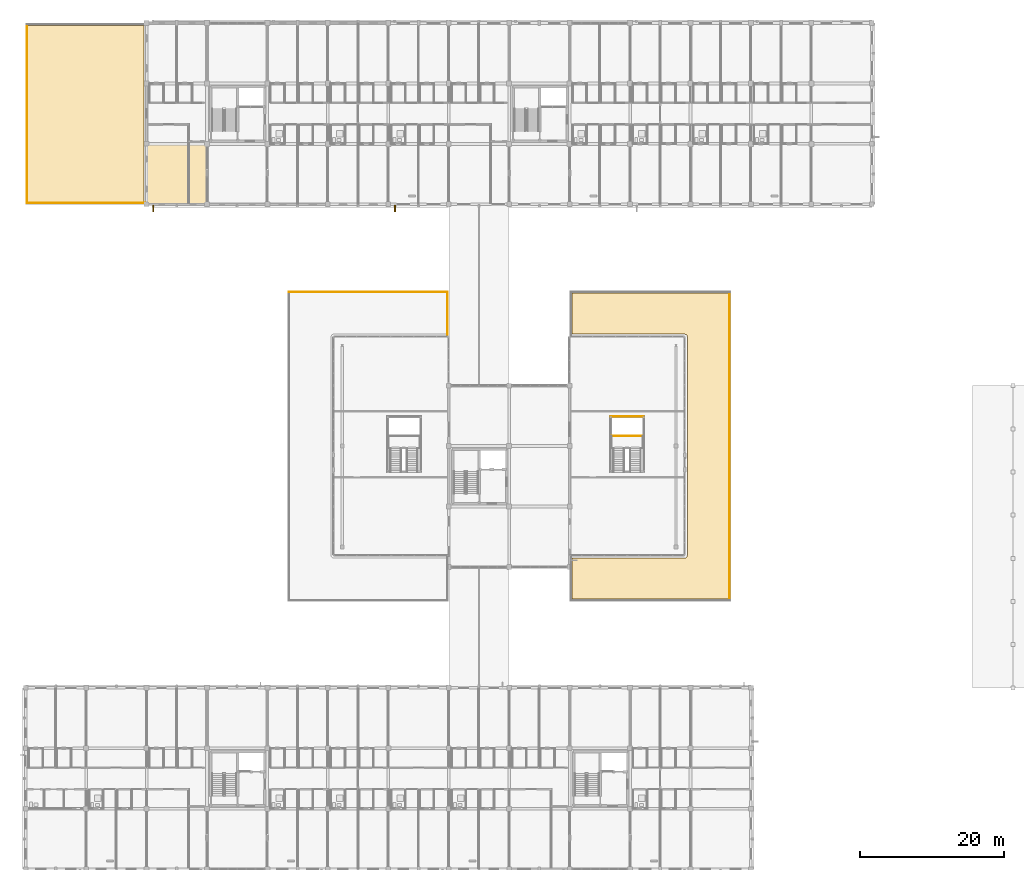
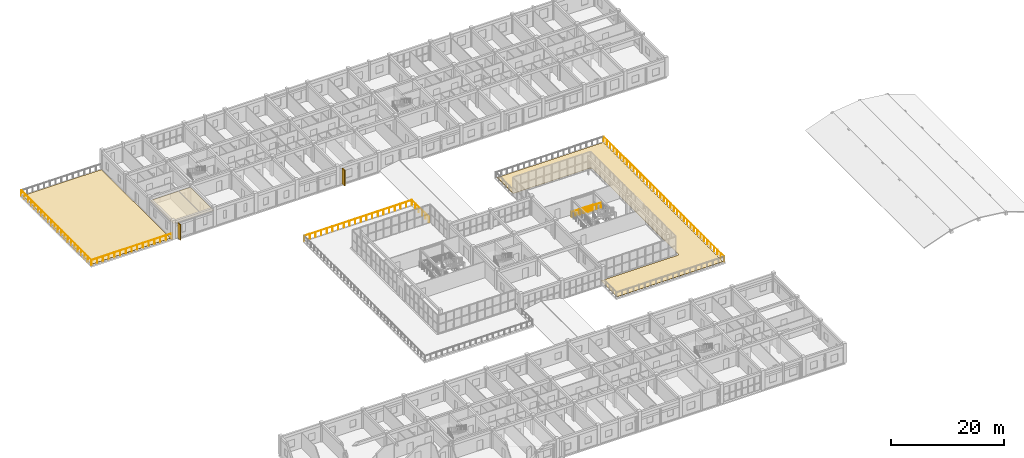
# One storey, part 85 of 90: 7 railings, 3 coverings, 2 shading devices.
"""IFC4 building model written with IfcOpenShell, lengths in metres."""

import ifcopenshell
import ifcopenshell.guid

model = None  # the IFC model being written
_history = None  # IfcOwnerHistory: only IFC2X3 demands one
_inside = {}  # id of a spatial element -> (the spatial element, [elements in it])
_under = {}  # id of a project, library or spatial element -> (it, [spatial elements below it])
_declared = {}  # id of a project -> (the project, [libraries it declares])
_typed = {}  # id of a type object -> (the type object, [elements of that type])
_made_of = {}  # id of a material, layer set ... -> (it, [elements and type objects made of it])


def new_model(schema):
    """Start an empty IFC model of exactly this schema.

    Asked for "IFC4X3", IfcOpenShell would pick the latest addendum, in which some entities
    have other attributes; the version numbers below select the first issue.
    IFC2X3 requires an IfcOwnerHistory on every rooted entity: one is made here for all.
    """
    global model, _history
    if schema == "IFC4X3":
        model = ifcopenshell.file(schema_version=(4, 3, 0, 0))
    else:
        model = ifcopenshell.file(schema=schema)
    _inside.clear()
    _under.clear()
    _declared.clear()
    _typed.clear()
    _made_of.clear()
    _history = None
    if model.schema == "IFC2X3":
        org = make("IfcOrganization", Name="unknown")
        user = make(
            "IfcPersonAndOrganization",
            ThePerson=make("IfcPerson", FamilyName="unknown"),
            TheOrganization=org,
        )
        app = make(
            "IfcApplication",
            ApplicationDeveloper=org,
            Version="unknown",
            ApplicationFullName="unknown",
            ApplicationIdentifier="unknown",
        )
        _history = make(
            "IfcOwnerHistory",
            OwningUser=user,
            OwningApplication=app,
            ChangeAction="ADDED",
            CreationDate=0,
        )
    return model


def make(cls, **values):
    """One entity of the class cls with the attributes given. An attribute that is None is left unset."""
    return model.create_entity(
        cls, **{name: value for name, value in values.items() if value is not None}
    )


def rooted(cls, **values):
    """An entity with a GlobalId (a new one), such as an element, a storey or a relation."""
    return make(cls, GlobalId=ifcopenshell.guid.new(), OwnerHistory=_history, **values)


def si_unit(unit_type, name, prefix=None):
    """IfcSIUnit, for example si_unit("LENGTHUNIT", "METRE", prefix="MILLI")."""
    return make("IfcSIUnit", UnitType=unit_type, Prefix=prefix, Name=name)


def assignment(units):
    """IfcUnitAssignment: the units of a project."""
    return None if units is None else make("IfcUnitAssignment", Units=units)


def point(xyz):
    """IfcCartesianPoint."""
    return None if xyz is None else make("IfcCartesianPoint", Coordinates=xyz)


def direction(xyz):
    """IfcDirection."""
    return None if xyz is None else make("IfcDirection", DirectionRatios=xyz)


def frame(location, z_axis=None, x_axis=None):
    """IfcAxis2Placement3D, a coordinate frame: its origin and axes. An axis left out is left unset."""
    return make(
        "IfcAxis2Placement3D",
        Location=point(location),
        Axis=direction(z_axis),
        RefDirection=direction(x_axis),
    )


def frame_2d(location, x_axis=None):
    """IfcAxis2Placement2D, a coordinate frame in the plane: its origin and x axis."""
    return make(
        "IfcAxis2Placement2D", Location=point(location), RefDirection=direction(x_axis)
    )


def origin():
    """The frame at (0, 0, 0) with its axes left unset."""
    return frame((0.0, 0.0, 0.0))


def origin_2d():
    """The frame at (0, 0) in the plane with its x axis left unset."""
    return frame_2d((0.0, 0.0))


def place(relative_to, where):
    """IfcLocalPlacement: puts the frame where relative to a parent placement (None: the world)."""
    return make(
        "IfcLocalPlacement", PlacementRelTo=relative_to, RelativePlacement=where
    )


def context(
    kind, dimensions, precision=None, world=None, true_north=None, identifier=None
):
    """IfcGeometricRepresentationContext, for example the 3D "Model" context."""
    return make(
        "IfcGeometricRepresentationContext",
        ContextIdentifier=identifier,
        ContextType=kind,
        CoordinateSpaceDimension=dimensions,
        Precision=precision,
        WorldCoordinateSystem=world,
        TrueNorth=true_north,
    )


def subcontext(parent, identifier, kind, view, scale=None):
    """IfcGeometricRepresentationSubContext, for example "Body" below "Model"."""
    return make(
        "IfcGeometricRepresentationSubContext",
        ContextIdentifier=identifier,
        ContextType=kind,
        ParentContext=parent,
        TargetScale=scale,
        TargetView=view,
    )


def project(units=None, contexts=None):
    """IfcProject with its units and contexts."""
    return rooted(
        "IfcProject",
        Name="project",
        RepresentationContexts=contexts,
        UnitsInContext=assignment(units),
    )


def spatial(cls, under=None, at=None, **own):
    """A site, building, storey or space (cls), placed at a placement, below another one or the project."""
    s = rooted(cls, ObjectPlacement=at, **own)
    if under is not None:
        _under.setdefault(under.id(), (under, []))[1].append(s)
    return s


def polyline(points):
    """IfcPolyline through the points."""
    return make("IfcPolyline", Points=[point(p) for p in points])


def profile(cls, at=None, kind="AREA", **sizes):
    """A parametric profile (cls). Its sizes go by their IFC names, for example OverallWidth=200.0."""
    return make(cls, ProfileType=kind, Position=at, **sizes)


def rectangle(**sizes):
    """IfcRectangleProfileDef."""
    return profile("IfcRectangleProfileDef", **sizes)


def circle(**sizes):
    """IfcCircleProfileDef."""
    return profile("IfcCircleProfileDef", **sizes)


def outline(outer, holes=None, kind="AREA"):
    """IfcArbitraryClosedProfileDef: a profile drawn as a closed curve; with holes, ...WithVoids."""
    if holes is None:
        return make("IfcArbitraryClosedProfileDef", ProfileType=kind, OuterCurve=outer)
    return make(
        "IfcArbitraryProfileDefWithVoids",
        ProfileType=kind,
        OuterCurve=outer,
        InnerCurves=holes,
    )


def extrude(swept, where, along, depth):
    """IfcExtrudedAreaSolid: the profile swept, set in the frame where, extruded along a direction by depth."""
    return make(
        "IfcExtrudedAreaSolid",
        SweptArea=swept,
        Position=where,
        ExtrudedDirection=direction(along),
        Depth=depth,
    )


def shape(context_of_items, identifier, shape_type, items):
    """IfcShapeRepresentation: the items that make up one representation, for example the "Body"."""
    return make(
        "IfcShapeRepresentation",
        ContextOfItems=context_of_items,
        RepresentationIdentifier=identifier,
        RepresentationType=shape_type,
        Items=items,
    )


def material(Name=None, Category=None):
    """IfcMaterial."""
    return make("IfcMaterial", Name=Name, Category=Category)


def layer(
    of_material, thickness, ventilated=None, Name=None, Category=None, Priority=None
):
    """IfcMaterialLayer: one layer of a wall or slab, of a material (None: an air gap)."""
    return make(
        "IfcMaterialLayer",
        Material=of_material,
        LayerThickness=thickness,
        IsVentilated=ventilated,
        Name=Name,
        Category=Category,
        Priority=Priority,
    )


def layer_set(layers, Name=None):
    """IfcMaterialLayerSet."""
    return make("IfcMaterialLayerSet", MaterialLayers=layers, LayerSetName=Name)


def made_of(thing, what):
    """Note that an element or type object is made of a material, layer set ...; save() writes the relation."""
    if what is not None:
        _made_of.setdefault(what.id(), (what, []))[1].append(thing)
    return thing


def type_object(cls, material=None, **own):
    """A type object (cls), such as IfcWallType, which elements share."""
    return made_of(rooted(cls, **own), material)


def element(
    cls,
    number,
    at=None,
    inside=None,
    cuts=None,
    type_object=None,
    material=None,
    context=None,
    identifier="Body",
    shape_type=None,
    held_by="IfcProductDefinitionShape",
    body=None,
    shapes=None,
    **own,
):
    """One element of the class cls, such as IfcWall. Its Tag is "e" and its number.

    at: its placement. inside: the storey or other place that contains it. cuts: it is an
    opening in that element (IfcRelVoidsElement). A single representation is given by context,
    identifier, shape_type and body (its items); several are given by shapes. held_by: the class
    of the entity that holds the representations. save() writes the other relations.
    """
    e = rooted(cls, Tag="e%d" % number, ObjectPlacement=at, **own)
    if body is not None:
        shapes = [shape(context, identifier, shape_type, body)]
    if shapes is not None:
        e.Representation = make(held_by, Representations=shapes)
    if inside is not None:
        _inside.setdefault(inside.id(), (inside, []))[1].append(e)
    if cuts is not None:
        rooted(
            "IfcRelVoidsElement", RelatingBuildingElement=cuts, RelatedOpeningElement=e
        )
    if type_object is not None:
        _typed.setdefault(type_object.id(), (type_object, []))[1].append(e)
    return made_of(e, material)


def aggregate(whole, parts):
    """IfcRelAggregates: a whole, such as a stair, and the parts it consists of."""
    return rooted("IfcRelAggregates", RelatingObject=whole, RelatedObjects=parts)


def save(model, path):
    """Write the relations noted so far, then the file.

    IfcRelAggregates (storeys below a building ...), IfcRelContainedInSpatialStructure (elements
    in a storey), IfcRelDefinesByType, IfcRelAssociatesMaterial and IfcRelDeclares: one each for
    every whole, place, type object, material and project.
    """
    for whole, parts in _under.values():
        aggregate(whole, parts)
    for where, things in _inside.values():
        rooted(
            "IfcRelContainedInSpatialStructure",
            RelatedElements=things,
            RelatingStructure=where,
        )
    for kind, things in _typed.values():
        rooted("IfcRelDefinesByType", RelatedObjects=things, RelatingType=kind)
    for what, things in _made_of.values():
        rooted("IfcRelAssociatesMaterial", RelatedObjects=things, RelatingMaterial=what)
    for by, libraries in _declared.values():
        rooted("IfcRelDeclares", RelatingContext=by, RelatedDefinitions=libraries)
    model.write(path)


model = new_model("IFC4")

# Units and contexts
model_context = context("Model", 3, precision=1e-05, world=origin(), true_north=direction((0.0, 1.0)))
body_context = subcontext(model_context, "Body", "Model", "MODEL_VIEW")
ifc_project = project(units=[si_unit("LENGTHUNIT", "METRE"), si_unit("AREAUNIT", "SQUARE_METRE"), si_unit("VOLUMEUNIT", "CUBIC_METRE"), si_unit("PLANEANGLEUNIT", "RADIAN"), si_unit("MASSUNIT", "GRAM", prefix="KILO")], contexts=[model_context])

# Site, building, storey
site_placement = place(None, origin())
site = spatial("IfcSite", under=ifc_project, at=site_placement, CompositionType="ELEMENT")
building_placement = place(site_placement, origin())
building = spatial("IfcBuilding", under=site, at=building_placement, Name="Trelvath General Hospital", CompositionType="ELEMENT")
storey_placement = place(building_placement, frame((0.0, 0.0, 20.39990234375)))
storey = spatial("IfcBuildingStorey", under=building, at=storey_placement, Name="L05", CompositionType="ELEMENT", Elevation=20.39990234375)

# Shading devices
ifc_material_1 = material(Name="Precast concrete C40/50", Category="concrete")
shading_device_type = type_object("IfcShadingDeviceType", Name="BriseSoleil PrecastFin900", PredefinedType="JALOUSIE", material=ifc_material_1)
for number, where, z_axis, x_axis, name in (
    (1, (34.540771484375, 91.81005859375, 0.0), (0.0, 0.0, 1.0), (0.0, -1.0, 0.0), "Solar Brise-Soleil Screen L05-82"),
    (2, (68.140869140625, 91.81005859375, 0.0), (0.0, 0.0, 1.0), (0.0, -1.0, 0.0), "Solar Brise-Soleil Screen L05-85"),
):
    element("IfcShadingDevice", number, at=place(storey_placement, frame(where, z_axis=z_axis, x_axis=x_axis)), inside=storey, type_object=shading_device_type, Name=name, PredefinedType="JALOUSIE", context=body_context, shape_type="SweptSolid", body=[
        extrude(rectangle(XDim=0.89990234375, YDim=0.179931640625, at=origin_2d()), origin(), (0.0, 0.0, 1.0), 3.340087890625),
    ])

# Covering
ifc_material_2 = material(Name="Hygienic acoustic ceiling tile")
ifc_layer_1 = layer(ifc_material_2, 0.02490234375)
ifc_layer_set_1 = layer_set([ifc_layer_1], Name="Hygienic acoustic ceiling tile")
covering_type_1 = type_object("IfcCoveringType", Name="Ceiling ClinicalAcoustic", PredefinedType="CEILING", material=ifc_layer_set_1)
covering_1_placement = place(storey_placement, frame((0.0, 0.0, 3.2001953125)))
element("IfcCovering", 3, at=covering_1_placement, inside=storey, type_object=covering_type_1, Name="Clinical Acoustic Ceiling L05-66", PredefinedType="CEILING", context=body_context, shape_type="SweptSolid", body=[
    extrude(outline(polyline([(33.699951171875, 92.5), (41.89990234375, 92.5), (41.89990234375, 100.719970703125), (33.699951171875, 100.719970703125), (33.699951171875, 92.5)])), origin(), (0.0, 0.0, 1.0), 0.02490234375),
])

# Railings
ifc_material_3 = material(Name="Architectural painted steel", Category="steel")
railing_type = type_object("IfcRailingType", Name="Guardrail Terrace1150", PredefinedType="GUARDRAIL", material=ifc_material_3)
railing_1_placement = place(storey_placement, frame((16.97998046875, 92.639892578125, 0.0)))
element("IfcRailing", 4, at=railing_1_placement, inside=storey, type_object=railing_type, Name="Planted Terrace Guardrail TERR-NW-W5 W 10", PredefinedType="GUARDRAIL", context=body_context, shape_type="SweptSolid", body=[
    extrude(circle(Radius=0.02392578125, at=origin_2d()), frame((0.0, 0.0, 1.1259765625), z_axis=(0.0, 1.0, 0.0), x_axis=(-1.0, 0.0, 0.0)), (0.0, 0.0, 1.0), 24.72021484375),
    extrude(circle(Radius=0.02099609375, at=origin_2d()), origin(), (0.0, 0.0, 1.0), 1.099853515625),
    extrude(circle(Radius=0.02099609375, at=origin_2d()), frame((0.0, 1.17724609375, 0.0)), (0.0, 0.0, 1.0), 1.099853515625),
    extrude(circle(Radius=0.02099609375, at=origin_2d()), frame((0.0, 2.354248046875, 0.0)), (0.0, 0.0, 1.0), 1.099853515625),
    extrude(circle(Radius=0.02099609375, at=origin_2d()), frame((0.0, 3.531494140625, 0.0)), (0.0, 0.0, 1.0), 1.099853515625),
    extrude(circle(Radius=0.02099609375, at=origin_2d()), frame((0.0, 4.70849609375, 0.0)), (0.0, 0.0, 1.0), 1.099853515625),
    extrude(circle(Radius=0.02099609375, at=origin_2d()), frame((0.0, 5.8857421875, 0.0)), (0.0, 0.0, 1.0), 1.099853515625),
    extrude(circle(Radius=0.02099609375, at=origin_2d()), frame((0.0, 7.06298828125, 0.0)), (0.0, 0.0, 1.0), 1.099853515625),
    extrude(circle(Radius=0.02099609375, at=origin_2d()), frame((0.0, 8.239990234375, 0.0)), (0.0, 0.0, 1.0), 1.099853515625),
    extrude(circle(Radius=0.02099609375, at=origin_2d()), frame((0.0, 9.417236328125, 0.0)), (0.0, 0.0, 1.0), 1.099853515625),
    extrude(circle(Radius=0.02099609375, at=origin_2d()), frame((0.0, 10.594482421875, 0.0)), (0.0, 0.0, 1.0), 1.099853515625),
    extrude(circle(Radius=0.02099609375, at=origin_2d()), frame((0.0, 11.771484375, 0.0)), (0.0, 0.0, 1.0), 1.099853515625),
    extrude(circle(Radius=0.02099609375, at=origin_2d()), frame((0.0, 12.94873046875, 0.0)), (0.0, 0.0, 1.0), 1.099853515625),
    extrude(circle(Radius=0.02099609375, at=origin_2d()), frame((0.0, 14.125732421875, 0.0)), (0.0, 0.0, 1.0), 1.099853515625),
    extrude(circle(Radius=0.02099609375, at=origin_2d()), frame((0.0, 15.302978515625, 0.0)), (0.0, 0.0, 1.0), 1.099853515625),
    extrude(circle(Radius=0.02099609375, at=origin_2d()), frame((0.0, 16.480224609375, 0.0)), (0.0, 0.0, 1.0), 1.099853515625),
    extrude(circle(Radius=0.02099609375, at=origin_2d()), frame((0.0, 17.6572265625, 0.0)), (0.0, 0.0, 1.0), 1.099853515625),
    extrude(circle(Radius=0.02099609375, at=origin_2d()), frame((0.0, 18.83447265625, 0.0)), (0.0, 0.0, 1.0), 1.099853515625),
    extrude(circle(Radius=0.02099609375, at=origin_2d()), frame((0.0, 20.01171875, 0.0)), (0.0, 0.0, 1.0), 1.099853515625),
    extrude(circle(Radius=0.02099609375, at=origin_2d()), frame((0.0, 21.188720703125, 0.0)), (0.0, 0.0, 1.0), 1.099853515625),
    extrude(circle(Radius=0.02099609375, at=origin_2d()), frame((0.0, 22.365966796875, 0.0)), (0.0, 0.0, 1.0), 1.099853515625),
    extrude(circle(Radius=0.02099609375, at=origin_2d()), frame((0.0, 23.54296875, 0.0)), (0.0, 0.0, 1.0), 1.099853515625),
    extrude(circle(Radius=0.02099609375, at=origin_2d()), frame((0.0, 24.72021484375, 0.0)), (0.0, 0.0, 1.0), 1.099853515625),
])
railing_2_placement = place(storey_placement, frame((16.97998046875, 92.580078125, 0.0)))
element("IfcRailing", 5, at=railing_2_placement, inside=storey, type_object=railing_type, Name="Planted Terrace Guardrail TERR-NW-W5 S 11", PredefinedType="GUARDRAIL", context=body_context, shape_type="SweptSolid", body=[
    extrude(circle(Radius=0.02392578125, at=origin_2d()), frame((0.0, 0.0, 1.1259765625), z_axis=(1.0, 0.0, 0.0), x_axis=(0.0, 1.0, 0.0)), (0.0, 0.0, 1.0), 16.43994140625),
    extrude(circle(Radius=0.02099609375, at=origin_2d()), origin(), (0.0, 0.0, 1.0), 1.099853515625),
    extrude(circle(Radius=0.02099609375, at=origin_2d()), frame((1.17431640625, 0.0, 0.0)), (0.0, 0.0, 1.0), 1.099853515625),
    extrude(circle(Radius=0.02099609375, at=origin_2d()), frame((2.3486328125, 0.0, 0.0)), (0.0, 0.0, 1.0), 1.099853515625),
    extrude(circle(Radius=0.02099609375, at=origin_2d()), frame((3.52294921875, 0.0, 0.0)), (0.0, 0.0, 1.0), 1.099853515625),
    extrude(circle(Radius=0.02099609375, at=origin_2d()), frame((4.697021484375, 0.0, 0.0)), (0.0, 0.0, 1.0), 1.099853515625),
    extrude(circle(Radius=0.02099609375, at=origin_2d()), frame((5.871337890625, 0.0, 0.0)), (0.0, 0.0, 1.0), 1.099853515625),
    extrude(circle(Radius=0.02099609375, at=origin_2d()), frame((7.045654296875, 0.0, 0.0)), (0.0, 0.0, 1.0), 1.099853515625),
    extrude(circle(Radius=0.02099609375, at=origin_2d()), frame((8.219970703125, 0.0, 0.0)), (0.0, 0.0, 1.0), 1.099853515625),
    extrude(circle(Radius=0.02099609375, at=origin_2d()), frame((9.394287109375, 0.0, 0.0)), (0.0, 0.0, 1.0), 1.099853515625),
    extrude(circle(Radius=0.02099609375, at=origin_2d()), frame((10.568603515625, 0.0, 0.0)), (0.0, 0.0, 1.0), 1.099853515625),
    extrude(circle(Radius=0.02099609375, at=origin_2d()), frame((11.742919921875, 0.0, 0.0)), (0.0, 0.0, 1.0), 1.099853515625),
    extrude(circle(Radius=0.02099609375, at=origin_2d()), frame((12.9169921875, 0.0, 0.0)), (0.0, 0.0, 1.0), 1.099853515625),
    extrude(circle(Radius=0.02099609375, at=origin_2d()), frame((14.09130859375, 0.0, 0.0)), (0.0, 0.0, 1.0), 1.099853515625),
    extrude(circle(Radius=0.02099609375, at=origin_2d()), frame((15.265625, 0.0, 0.0)), (0.0, 0.0, 1.0), 1.099853515625),
    extrude(circle(Radius=0.02099609375, at=origin_2d()), frame((16.43994140625, 0.0, 0.0)), (0.0, 0.0, 1.0), 1.099853515625),
])
railing_3_placement = place(storey_placement, frame((53.3798828125, 80.219970703125, 0.0)))
element("IfcRailing", 6, at=railing_3_placement, inside=storey, type_object=railing_type, Name="Cube Terrace Guardrail TERR-CW-U5 3 31", PredefinedType="GUARDRAIL", context=body_context, shape_type="SweptSolid", body=[
    extrude(circle(Radius=0.02392578125, at=origin_2d()), frame((0.0, 0.0, 1.1259765625), z_axis=(1.0, 0.0, 0.0), x_axis=(0.0, 1.0, 0.0)), (0.0, 0.0, 1.0), 22.0400390625),
    extrude(circle(Radius=0.02099609375, at=origin_2d()), origin(), (0.0, 0.0, 1.0), 1.099853515625),
    extrude(circle(Radius=0.02099609375, at=origin_2d()), frame((1.159912109375, 0.0, 0.0)), (0.0, 0.0, 1.0), 1.099853515625),
    extrude(circle(Radius=0.02099609375, at=origin_2d()), frame((2.320068359375, 0.0, 0.0)), (0.0, 0.0, 1.0), 1.099853515625),
    extrude(circle(Radius=0.02099609375, at=origin_2d()), frame((3.47998046875, 0.0, 0.0)), (0.0, 0.0, 1.0), 1.099853515625),
    extrude(circle(Radius=0.02099609375, at=origin_2d()), frame((4.639892578125, 0.0, 0.0)), (0.0, 0.0, 1.0), 1.099853515625),
    extrude(circle(Radius=0.02099609375, at=origin_2d()), frame((5.800048828125, 0.0, 0.0)), (0.0, 0.0, 1.0), 1.099853515625),
    extrude(circle(Radius=0.02099609375, at=origin_2d()), frame((6.9599609375, 0.0, 0.0)), (0.0, 0.0, 1.0), 1.099853515625),
    extrude(circle(Radius=0.02099609375, at=origin_2d()), frame((8.1201171875, 0.0, 0.0)), (0.0, 0.0, 1.0), 1.099853515625),
    extrude(circle(Radius=0.02099609375, at=origin_2d()), frame((9.280029296875, 0.0, 0.0)), (0.0, 0.0, 1.0), 1.099853515625),
    extrude(circle(Radius=0.02099609375, at=origin_2d()), frame((10.43994140625, 0.0, 0.0)), (0.0, 0.0, 1.0), 1.099853515625),
    extrude(circle(Radius=0.02099609375, at=origin_2d()), frame((11.60009765625, 0.0, 0.0)), (0.0, 0.0, 1.0), 1.099853515625),
    extrude(circle(Radius=0.02099609375, at=origin_2d()), frame((12.760009765625, 0.0, 0.0)), (0.0, 0.0, 1.0), 1.099853515625),
    extrude(circle(Radius=0.02099609375, at=origin_2d()), frame((13.919921875, 0.0, 0.0)), (0.0, 0.0, 1.0), 1.099853515625),
    extrude(circle(Radius=0.02099609375, at=origin_2d()), frame((15.080078125, 0.0, 0.0)), (0.0, 0.0, 1.0), 1.099853515625),
    extrude(circle(Radius=0.02099609375, at=origin_2d()), frame((16.239990234375, 0.0, 0.0)), (0.0, 0.0, 1.0), 1.099853515625),
    extrude(circle(Radius=0.02099609375, at=origin_2d()), frame((17.400146484375, 0.0, 0.0)), (0.0, 0.0, 1.0), 1.099853515625),
    extrude(circle(Radius=0.02099609375, at=origin_2d()), frame((18.56005859375, 0.0, 0.0)), (0.0, 0.0, 1.0), 1.099853515625),
    extrude(circle(Radius=0.02099609375, at=origin_2d()), frame((19.719970703125, 0.0, 0.0)), (0.0, 0.0, 1.0), 1.099853515625),
    extrude(circle(Radius=0.02099609375, at=origin_2d()), frame((20.880126953125, 0.0, 0.0)), (0.0, 0.0, 1.0), 1.099853515625),
    extrude(circle(Radius=0.02099609375, at=origin_2d()), frame((22.0400390625, 0.0, 0.0)), (0.0, 0.0, 1.0), 1.099853515625),
])
railing_4_placement = place(storey_placement, frame((75.419921875, 74.179931640625, 0.0)))
element("IfcRailing", 7, at=railing_4_placement, inside=storey, type_object=railing_type, Name="Cube Terrace Guardrail TERR-CW-U5 5 33", PredefinedType="GUARDRAIL", context=body_context, shape_type="SweptSolid", body=[
    extrude(circle(Radius=0.02392578125, at=origin_2d()), frame((0.0, 0.0, 1.1259765625), z_axis=(0.0, 1.0, 0.0), x_axis=(-1.0, 0.0, 0.0)), (0.0, 0.0, 1.0), 5.97998046875),
    extrude(circle(Radius=0.02099609375, at=origin_2d()), origin(), (0.0, 0.0, 1.0), 1.099853515625),
    extrude(circle(Radius=0.02099609375, at=origin_2d()), frame((0.0, 1.196044921875, 0.0)), (0.0, 0.0, 1.0), 1.099853515625),
    extrude(circle(Radius=0.02099609375, at=origin_2d()), frame((0.0, 2.39208984375, 0.0)), (0.0, 0.0, 1.0), 1.099853515625),
    extrude(circle(Radius=0.02099609375, at=origin_2d()), frame((0.0, 3.587890625, 0.0)), (0.0, 0.0, 1.0), 1.099853515625),
    extrude(circle(Radius=0.02099609375, at=origin_2d()), frame((0.0, 4.783935546875, 0.0)), (0.0, 0.0, 1.0), 1.099853515625),
    extrude(circle(Radius=0.02099609375, at=origin_2d()), frame((0.0, 5.97998046875, 0.0)), (0.0, 0.0, 1.0), 1.099853515625),
])
railing_5_placement = place(storey_placement, frame((114.6201171875, 37.43994140625, 0.0)))
element("IfcRailing", 8, at=railing_5_placement, inside=storey, type_object=railing_type, Name="Cube Terrace Guardrail TERR-CE-U5 2 35", PredefinedType="GUARDRAIL", context=body_context, shape_type="SweptSolid", body=[
    extrude(circle(Radius=0.02392578125, at=origin_2d()), frame((0.0, 0.0, 1.1259765625), z_axis=(0.0, 1.0, 0.0), x_axis=(-1.0, 0.0, 0.0)), (0.0, 0.0, 1.0), 42.719970703125),
    extrude(circle(Radius=0.02099609375, at=origin_2d()), origin(), (0.0, 0.0, 1.0), 1.099853515625),
    extrude(circle(Radius=0.02099609375, at=origin_2d()), frame((0.0, 1.186767578125, 0.0)), (0.0, 0.0, 1.0), 1.099853515625),
    extrude(circle(Radius=0.02099609375, at=origin_2d()), frame((0.0, 2.373291015625, 0.0)), (0.0, 0.0, 1.0), 1.099853515625),
    extrude(circle(Radius=0.02099609375, at=origin_2d()), frame((0.0, 3.56005859375, 0.0)), (0.0, 0.0, 1.0), 1.099853515625),
    extrude(circle(Radius=0.02099609375, at=origin_2d()), frame((0.0, 4.74658203125, 0.0)), (0.0, 0.0, 1.0), 1.099853515625),
    extrude(circle(Radius=0.02099609375, at=origin_2d()), frame((0.0, 5.933349609375, 0.0)), (0.0, 0.0, 1.0), 1.099853515625),
    extrude(circle(Radius=0.02099609375, at=origin_2d()), frame((0.0, 7.1201171875, 0.0)), (0.0, 0.0, 1.0), 1.099853515625),
    extrude(circle(Radius=0.02099609375, at=origin_2d()), frame((0.0, 8.306640625, 0.0)), (0.0, 0.0, 1.0), 1.099853515625),
    extrude(circle(Radius=0.02099609375, at=origin_2d()), frame((0.0, 9.493408203125, 0.0)), (0.0, 0.0, 1.0), 1.099853515625),
    extrude(circle(Radius=0.02099609375, at=origin_2d()), frame((0.0, 10.679931640625, 0.0)), (0.0, 0.0, 1.0), 1.099853515625),
    extrude(circle(Radius=0.02099609375, at=origin_2d()), frame((0.0, 11.86669921875, 0.0)), (0.0, 0.0, 1.0), 1.099853515625),
    extrude(circle(Radius=0.02099609375, at=origin_2d()), frame((0.0, 13.05322265625, 0.0)), (0.0, 0.0, 1.0), 1.099853515625),
    extrude(circle(Radius=0.02099609375, at=origin_2d()), frame((0.0, 14.239990234375, 0.0)), (0.0, 0.0, 1.0), 1.099853515625),
    extrude(circle(Radius=0.02099609375, at=origin_2d()), frame((0.0, 15.4267578125, 0.0)), (0.0, 0.0, 1.0), 1.099853515625),
    extrude(circle(Radius=0.02099609375, at=origin_2d()), frame((0.0, 16.61328125, 0.0)), (0.0, 0.0, 1.0), 1.099853515625),
    extrude(circle(Radius=0.02099609375, at=origin_2d()), frame((0.0, 17.800048828125, 0.0)), (0.0, 0.0, 1.0), 1.099853515625),
    extrude(circle(Radius=0.02099609375, at=origin_2d()), frame((0.0, 18.986572265625, 0.0)), (0.0, 0.0, 1.0), 1.099853515625),
    extrude(circle(Radius=0.02099609375, at=origin_2d()), frame((0.0, 20.17333984375, 0.0)), (0.0, 0.0, 1.0), 1.099853515625),
    extrude(circle(Radius=0.02099609375, at=origin_2d()), frame((0.0, 21.35986328125, 0.0)), (0.0, 0.0, 1.0), 1.099853515625),
    extrude(circle(Radius=0.02099609375, at=origin_2d()), frame((0.0, 22.546630859375, 0.0)), (0.0, 0.0, 1.0), 1.099853515625),
    extrude(circle(Radius=0.02099609375, at=origin_2d()), frame((0.0, 23.7333984375, 0.0)), (0.0, 0.0, 1.0), 1.099853515625),
    extrude(circle(Radius=0.02099609375, at=origin_2d()), frame((0.0, 24.919921875, 0.0)), (0.0, 0.0, 1.0), 1.099853515625),
    extrude(circle(Radius=0.02099609375, at=origin_2d()), frame((0.0, 26.106689453125, 0.0)), (0.0, 0.0, 1.0), 1.099853515625),
    extrude(circle(Radius=0.02099609375, at=origin_2d()), frame((0.0, 27.293212890625, 0.0)), (0.0, 0.0, 1.0), 1.099853515625),
    extrude(circle(Radius=0.02099609375, at=origin_2d()), frame((0.0, 28.47998046875, 0.0)), (0.0, 0.0, 1.0), 1.099853515625),
    extrude(circle(Radius=0.02099609375, at=origin_2d()), frame((0.0, 29.666748046875, 0.0)), (0.0, 0.0, 1.0), 1.099853515625),
    extrude(circle(Radius=0.02099609375, at=origin_2d()), frame((0.0, 30.853271484375, 0.0)), (0.0, 0.0, 1.0), 1.099853515625),
    extrude(circle(Radius=0.02099609375, at=origin_2d()), frame((0.0, 32.0400390625, 0.0)), (0.0, 0.0, 1.0), 1.099853515625),
    extrude(circle(Radius=0.02099609375, at=origin_2d()), frame((0.0, 33.2265625, 0.0)), (0.0, 0.0, 1.0), 1.099853515625),
    extrude(circle(Radius=0.02099609375, at=origin_2d()), frame((0.0, 34.413330078125, 0.0)), (0.0, 0.0, 1.0), 1.099853515625),
    extrude(circle(Radius=0.02099609375, at=origin_2d()), frame((0.0, 35.60009765625, 0.0)), (0.0, 0.0, 1.0), 1.099853515625),
    extrude(circle(Radius=0.02099609375, at=origin_2d()), frame((0.0, 36.78662109375, 0.0)), (0.0, 0.0, 1.0), 1.099853515625),
    extrude(circle(Radius=0.02099609375, at=origin_2d()), frame((0.0, 37.973388671875, 0.0)), (0.0, 0.0, 1.0), 1.099853515625),
    extrude(circle(Radius=0.02099609375, at=origin_2d()), frame((0.0, 39.159912109375, 0.0)), (0.0, 0.0, 1.0), 1.099853515625),
    extrude(circle(Radius=0.02099609375, at=origin_2d()), frame((0.0, 40.3466796875, 0.0)), (0.0, 0.0, 1.0), 1.099853515625),
    extrude(circle(Radius=0.02099609375, at=origin_2d()), frame((0.0, 41.533203125, 0.0)), (0.0, 0.0, 1.0), 1.099853515625),
    extrude(circle(Radius=0.02099609375, at=origin_2d()), frame((0.0, 42.719970703125, 0.0)), (0.0, 0.0, 1.0), 1.099853515625),
])
railing_6_placement = place(storey_placement, frame((98.280029296875, 60.179931640625, 2.10009765625)))
element("IfcRailing", 9, at=railing_6_placement, inside=storey, type_object=railing_type, Name="Cube Half-Landing Guard N ST10 L05 352", PredefinedType="GUARDRAIL", context=body_context, shape_type="SweptSolid", body=[
    extrude(circle(Radius=0.02392578125, at=origin_2d()), frame((0.0, 0.0, 1.1259765625), z_axis=(1.0, 0.0, 0.0), x_axis=(0.0, 1.0, 0.0)), (0.0, 0.0, 1.0), 4.239990234375),
    extrude(circle(Radius=0.02099609375, at=origin_2d()), origin(), (0.0, 0.0, 1.0), 1.099853515625),
    extrude(circle(Radius=0.02099609375, at=origin_2d()), frame((0.847900390625, 0.0, 0.0)), (0.0, 0.0, 1.0), 1.099853515625),
    extrude(circle(Radius=0.02099609375, at=origin_2d()), frame((1.696044921875, 0.0, 0.0)), (0.0, 0.0, 1.0), 1.099853515625),
    extrude(circle(Radius=0.02099609375, at=origin_2d()), frame((2.5439453125, 0.0, 0.0)), (0.0, 0.0, 1.0), 1.099853515625),
    extrude(circle(Radius=0.02099609375, at=origin_2d()), frame((3.39208984375, 0.0, 0.0)), (0.0, 0.0, 1.0), 1.099853515625),
    extrude(circle(Radius=0.02099609375, at=origin_2d()), frame((4.239990234375, 0.0, 0.0)), (0.0, 0.0, 1.0), 1.099853515625),
])
railing_7_placement = place(storey_placement, frame((98.139892578125, 62.919921875, 0.0)))
element("IfcRailing", 10, at=railing_7_placement, inside=storey, type_object=railing_type, Name="Atrium Guard N CUBE-E-T2 L05 392", PredefinedType="GUARDRAIL", context=body_context, shape_type="SweptSolid", body=[
    extrude(circle(Radius=0.02392578125, at=origin_2d()), frame((0.0, 0.0, 1.1259765625), z_axis=(1.0, 0.0, 0.0), x_axis=(0.0, 1.0, 0.0)), (0.0, 0.0, 1.0), 4.52001953125),
    extrude(circle(Radius=0.02099609375, at=origin_2d()), origin(), (0.0, 0.0, 1.0), 1.099853515625),
    extrude(circle(Radius=0.02099609375, at=origin_2d()), frame((0.75341796875, 0.0, 0.0)), (0.0, 0.0, 1.0), 1.099853515625),
    extrude(circle(Radius=0.02099609375, at=origin_2d()), frame((1.506591796875, 0.0, 0.0)), (0.0, 0.0, 1.0), 1.099853515625),
    extrude(circle(Radius=0.02099609375, at=origin_2d()), frame((2.260009765625, 0.0, 0.0)), (0.0, 0.0, 1.0), 1.099853515625),
    extrude(circle(Radius=0.02099609375, at=origin_2d()), frame((3.013427734375, 0.0, 0.0)), (0.0, 0.0, 1.0), 1.099853515625),
    extrude(circle(Radius=0.02099609375, at=origin_2d()), frame((3.7666015625, 0.0, 0.0)), (0.0, 0.0, 1.0), 1.099853515625),
    extrude(circle(Radius=0.02099609375, at=origin_2d()), frame((4.52001953125, 0.0, 0.0)), (0.0, 0.0, 1.0), 1.099853515625),
])

# Coverings
ifc_material_4 = material(Name="Planted green roof substrate")
ifc_layer_2 = layer(ifc_material_4, 0.179931640625)
ifc_layer_set_2 = layer_set([ifc_layer_2], Name="Planted green roof substrate")
covering_type_2 = type_object("IfcCoveringType", Name="Roofing PlantedGarden", PredefinedType="ROOFING", material=ifc_layer_set_2)
covering_2_placement = place(storey_placement, origin())
element("IfcCovering", 11, at=covering_2_placement, inside=storey, type_object=covering_type_2, Name="Planted Terrace Substrate TERR-NW-W5", PredefinedType="ROOFING", context=body_context, shape_type="SweptSolid", body=[
    extrude(outline(polyline([(17.14990234375, 92.75), (33.25, 92.75), (33.25, 117.25), (17.14990234375, 117.25), (17.14990234375, 92.75)])), origin(), (0.0, 0.0, 1.0), 0.0400390625),
])
covering_3_placement = place(storey_placement, origin())
element("IfcCovering", 12, at=covering_3_placement, inside=storey, type_object=covering_type_2, Name="Crystal Cube Planted Garden TERR-CE-U5", PredefinedType="ROOFING", context=body_context, shape_type="SweptSolid", body=[
    extrude(outline(polyline([(92.75, 37.550048828125), (92.75, 43.25), (108.39990234375, 43.25), (108.434326171875, 43.251708984375), (108.46826171875, 43.256591796875), (108.501708984375, 43.26513671875), (108.533935546875, 43.276611328125), (108.56494140625, 43.291259765625), (108.594482421875, 43.30908203125), (108.6220703125, 43.329345703125), (108.6474609375, 43.3525390625), (108.670654296875, 43.3779296875), (108.69091796875, 43.405517578125), (108.708740234375, 43.43505859375), (108.723388671875, 43.466064453125), (108.73486328125, 43.498291015625), (108.743408203125, 43.53173828125), (108.748291015625, 43.565673828125), (108.75, 43.60009765625), (108.75, 74.0), (108.748291015625, 74.0341796875), (108.743408203125, 74.068359375), (108.73486328125, 74.1015625), (108.723388671875, 74.1337890625), (108.708740234375, 74.1650390625), (108.69091796875, 74.1943359375), (108.670654296875, 74.221923828125), (108.6474609375, 74.24755859375), (108.6220703125, 74.2705078125), (108.594482421875, 74.291015625), (108.56494140625, 74.30859375), (108.533935546875, 74.323486328125), (108.501708984375, 74.3349609375), (108.46826171875, 74.34326171875), (108.434326171875, 74.348388671875), (108.39990234375, 74.35009765625), (92.75, 74.35009765625), (92.75, 80.050048828125), (114.449951171875, 80.050048828125), (114.449951171875, 37.550048828125), (92.75, 37.550048828125)])), origin(), (0.0, 0.0, 1.0), 0.0400390625),
])

save(model, "model.ifc")
